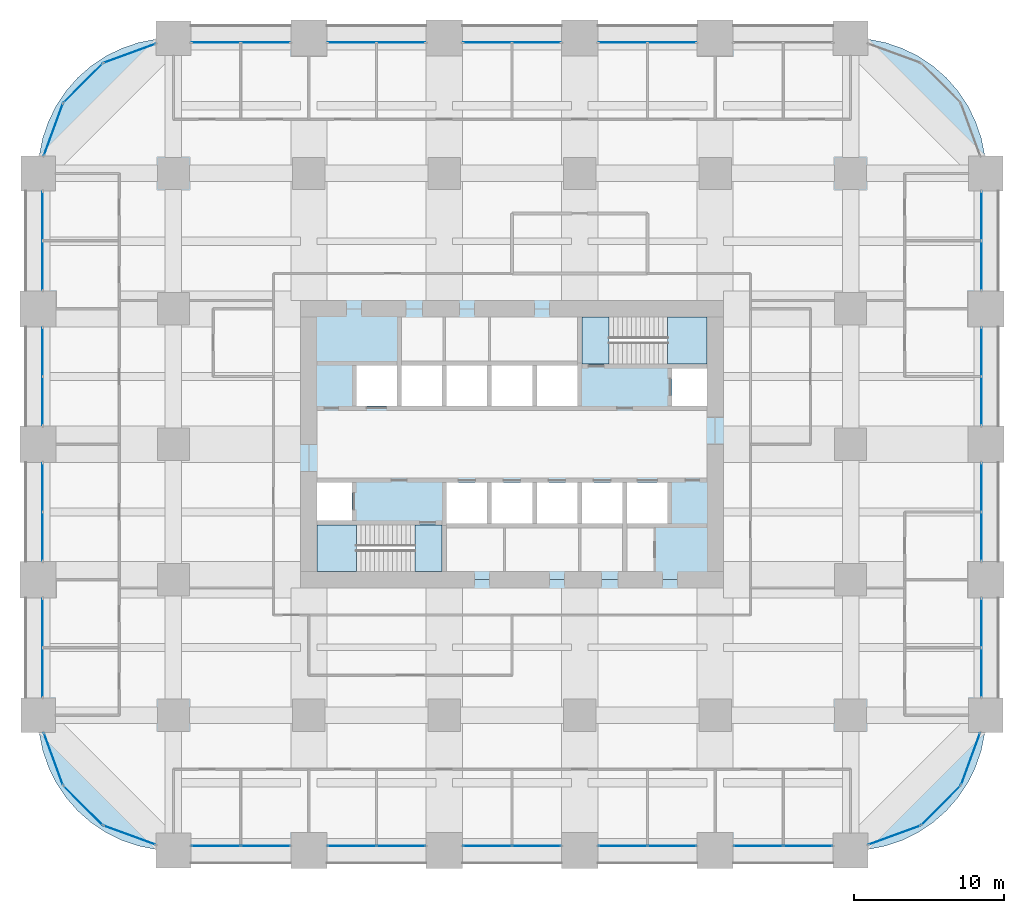
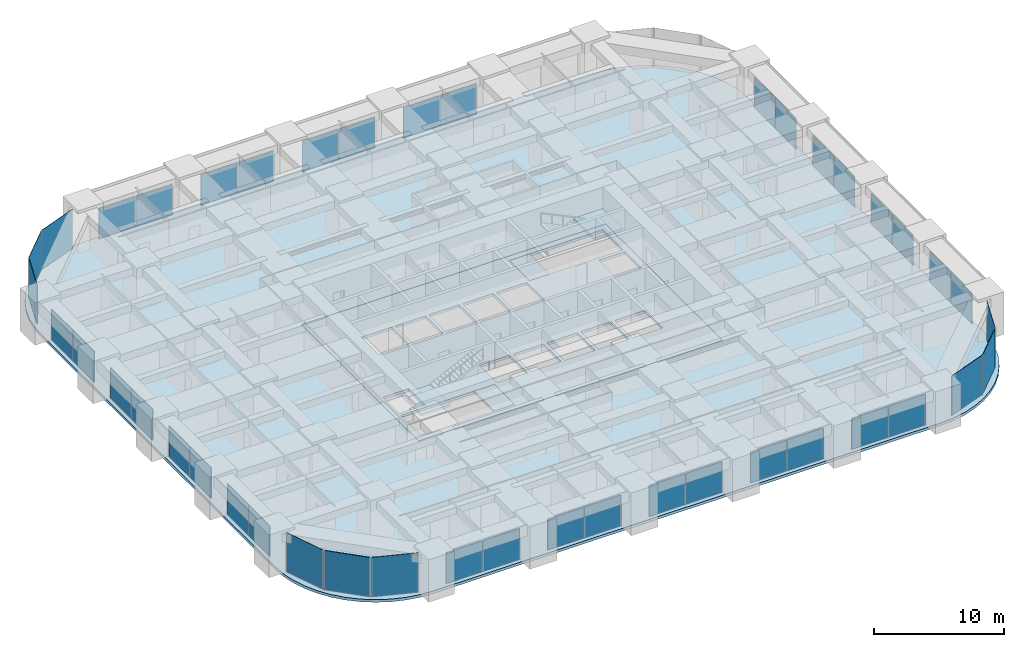
# One storey, part 38 of 45: 43 plates, 6 slabs, 28 elements without a shape of their own.
"""IFC4 building model written with IfcOpenShell, lengths in metres."""

from ifc_helpers import new_model, si_unit, direction, frame, origin, origin_2d, place, context, subcontext, project, spatial, polyline, rectangle, outline, extrude, material, layer, layer_set, type_object, element, aggregate, save


model = new_model("IFC4")

# Units and contexts
model_context = context("Model", 3, precision=1e-05, world=origin(), true_north=direction((0.0, 1.0)))
body_context = subcontext(model_context, "Body", "Model", "MODEL_VIEW")
ifc_project = project(units=[si_unit("LENGTHUNIT", "METRE"), si_unit("AREAUNIT", "SQUARE_METRE"), si_unit("VOLUMEUNIT", "CUBIC_METRE"), si_unit("PLANEANGLEUNIT", "RADIAN"), si_unit("MASSUNIT", "GRAM", prefix="KILO")], contexts=[model_context])

# Site, building, storey
site_placement = place(None, origin())
site = spatial("IfcSite", under=ifc_project, at=site_placement, CompositionType="ELEMENT")
building_placement = place(site_placement, origin())
building = spatial("IfcBuilding", under=site, at=building_placement, Name="Zorevar Civic Tower", CompositionType="ELEMENT")
storey_placement = place(building_placement, frame((0.0, 0.0, 71.800048828125)))
storey = spatial("IfcBuildingStorey", under=building, at=storey_placement, Name="L17", CompositionType="ELEMENT", Elevation=71.800048828125)

# Curtain wall, plates
ifc_material_1 = material(Name="Dark grey solar-control glass in black aluminium frame", Category="aluminium")
curtain_wall_type = type_object("IfcCurtainWallType", Name="Curtain wall CW2 low zone", PredefinedType="NOTDEFINED", material=ifc_material_1)
curtain_wall_1_placement = place(storey_placement, origin())
curtain_wall_1 = element("IfcCurtainWall", 1, at=curtain_wall_1_placement, inside=storey, type_object=curtain_wall_type, Name="CW2 L17", PredefinedType="NOTDEFINED")
ifc_material_2 = material(Name="Dark grey solar-control glass", Category="glass")
ifc_layer_1 = layer(ifc_material_2, 0.031982421875)
ifc_layer_set_1 = layer_set([ifc_layer_1], Name="CW2 panel 32")
plate_type = type_object("IfcPlateType", Name="CW2 panel 32", PredefinedType="CURTAIN_PANEL", material=ifc_layer_set_1)
plate_1_placement = place(storey_placement, frame((11.827392578125, 0.300048828125, 0.06005859375), z_axis=(0.0, 0.0, 1.0), x_axis=(1.0, 0.0, 0.0)))
plate_1 = element("IfcPlate", 2, at=plate_1_placement, type_object=plate_type, Name="CW2 panel 1.1", PredefinedType="CURTAIN_PANEL", context=body_context, shape_type="SweptSolid", body=[
    extrude(rectangle(XDim=3.235107421875, YDim=0.031982421875, at=origin_2d()), origin(), (0.0, 0.0, 1.0), 2.889892578125),
])
plate_2_placement = place(storey_placement, frame((15.12255859375, 0.300048828125, 0.06005859375), z_axis=(0.0, 0.0, 1.0), x_axis=(1.0, 0.0, 0.0)))
plate_2 = element("IfcPlate", 3, at=plate_2_placement, type_object=plate_type, Name="CW2 panel 2.1", PredefinedType="CURTAIN_PANEL", context=body_context, shape_type="SweptSolid", body=[
    extrude(rectangle(XDim=3.235107421875, YDim=0.031982421875, at=origin_2d()), origin(), (0.0, 0.0, 1.0), 2.889892578125),
])
aggregate(curtain_wall_1, [plate_1, plate_2])

curtain_wall_2_placement = place(storey_placement, origin())
curtain_wall_2 = element("IfcCurtainWall", 4, at=curtain_wall_2_placement, inside=storey, type_object=curtain_wall_type, Name="CW2 L17", PredefinedType="NOTDEFINED")
plate_3_placement = place(storey_placement, frame((11.827392578125, 53.699951171875, 0.06005859375), z_axis=(0.0, 0.0, 1.0), x_axis=(1.0, 0.0, 0.0)))
plate_3 = element("IfcPlate", 5, at=plate_3_placement, type_object=plate_type, Name="CW2 panel 1.1", PredefinedType="CURTAIN_PANEL", context=body_context, shape_type="SweptSolid", body=[
    extrude(rectangle(XDim=3.235107421875, YDim=0.031982421875, at=origin_2d()), origin(), (0.0, 0.0, 1.0), 2.889892578125),
])
plate_4_placement = place(storey_placement, frame((15.12255859375, 53.699951171875, 0.06005859375), z_axis=(0.0, 0.0, 1.0), x_axis=(1.0, 0.0, 0.0)))
plate_4 = element("IfcPlate", 6, at=plate_4_placement, type_object=plate_type, Name="CW2 panel 2.1", PredefinedType="CURTAIN_PANEL", context=body_context, shape_type="SweptSolid", body=[
    extrude(rectangle(XDim=3.235107421875, YDim=0.031982421875, at=origin_2d()), origin(), (0.0, 0.0, 1.0), 2.889892578125),
])
aggregate(curtain_wall_2, [plate_3, plate_4])

curtain_wall_3_placement = place(storey_placement, origin())
curtain_wall_3 = element("IfcCurtainWall", 7, at=curtain_wall_3_placement, inside=storey, type_object=curtain_wall_type, Name="CW2 L17", PredefinedType="NOTDEFINED")
plate_5_placement = place(storey_placement, frame((20.864990234375, 0.300048828125, 0.06005859375), z_axis=(0.0, 0.0, 1.0), x_axis=(1.0, 0.0, 0.0)))
plate_5 = element("IfcPlate", 8, at=plate_5_placement, type_object=plate_type, Name="CW2 panel 1.1", PredefinedType="CURTAIN_PANEL", context=body_context, shape_type="SweptSolid", body=[
    extrude(rectangle(XDim=3.2099609375, YDim=0.031982421875, at=origin_2d()), origin(), (0.0, 0.0, 1.0), 2.889892578125),
])
plate_6_placement = place(storey_placement, frame((24.135009765625, 0.300048828125, 0.06005859375), z_axis=(0.0, 0.0, 1.0), x_axis=(1.0, 0.0, 0.0)))
plate_6 = element("IfcPlate", 9, at=plate_6_placement, type_object=plate_type, Name="CW2 panel 2.1", PredefinedType="CURTAIN_PANEL", context=body_context, shape_type="SweptSolid", body=[
    extrude(rectangle(XDim=3.2099609375, YDim=0.031982421875, at=origin_2d()), origin(), (0.0, 0.0, 1.0), 2.889892578125),
])
aggregate(curtain_wall_3, [plate_5, plate_6])

curtain_wall_4_placement = place(storey_placement, origin())
curtain_wall_4 = element("IfcCurtainWall", 10, at=curtain_wall_4_placement, inside=storey, type_object=curtain_wall_type, Name="CW2 L17", PredefinedType="NOTDEFINED")
plate_7_placement = place(storey_placement, frame((20.864990234375, 53.699951171875, 0.06005859375), z_axis=(0.0, 0.0, 1.0), x_axis=(1.0, 0.0, 0.0)))
plate_7 = element("IfcPlate", 11, at=plate_7_placement, type_object=plate_type, Name="CW2 panel 1.1", PredefinedType="CURTAIN_PANEL", context=body_context, shape_type="SweptSolid", body=[
    extrude(rectangle(XDim=3.2099609375, YDim=0.031982421875, at=origin_2d()), origin(), (0.0, 0.0, 1.0), 2.889892578125),
])
plate_8_placement = place(storey_placement, frame((24.135009765625, 53.699951171875, 0.06005859375), z_axis=(0.0, 0.0, 1.0), x_axis=(1.0, 0.0, 0.0)))
plate_8 = element("IfcPlate", 12, at=plate_8_placement, type_object=plate_type, Name="CW2 panel 2.1", PredefinedType="CURTAIN_PANEL", context=body_context, shape_type="SweptSolid", body=[
    extrude(rectangle(XDim=3.2099609375, YDim=0.031982421875, at=origin_2d()), origin(), (0.0, 0.0, 1.0), 2.889892578125),
])
aggregate(curtain_wall_4, [plate_7, plate_8])

curtain_wall_5_placement = place(storey_placement, origin())
curtain_wall_5 = element("IfcCurtainWall", 13, at=curtain_wall_5_placement, inside=storey, type_object=curtain_wall_type, Name="CW2 L17", PredefinedType="NOTDEFINED")
plate_9_placement = place(storey_placement, frame((29.864990234375, 0.300048828125, 0.06005859375), z_axis=(0.0, 0.0, 1.0), x_axis=(1.0, 0.0, 0.0)))
plate_9 = element("IfcPlate", 14, at=plate_9_placement, type_object=plate_type, Name="CW2 panel 1.1", PredefinedType="CURTAIN_PANEL", context=body_context, shape_type="SweptSolid", body=[
    extrude(rectangle(XDim=3.2099609375, YDim=0.031982421875, at=origin_2d()), origin(), (0.0, 0.0, 1.0), 2.889892578125),
])
plate_10_placement = place(storey_placement, frame((33.135009765625, 0.300048828125, 0.06005859375), z_axis=(0.0, 0.0, 1.0), x_axis=(1.0, 0.0, 0.0)))
plate_10 = element("IfcPlate", 15, at=plate_10_placement, type_object=plate_type, Name="CW2 panel 2.1", PredefinedType="CURTAIN_PANEL", context=body_context, shape_type="SweptSolid", body=[
    extrude(rectangle(XDim=3.2099609375, YDim=0.031982421875, at=origin_2d()), origin(), (0.0, 0.0, 1.0), 2.889892578125),
])
aggregate(curtain_wall_5, [plate_9, plate_10])

curtain_wall_6_placement = place(storey_placement, origin())
curtain_wall_6 = element("IfcCurtainWall", 16, at=curtain_wall_6_placement, inside=storey, type_object=curtain_wall_type, Name="CW2 L17", PredefinedType="NOTDEFINED")
plate_11_placement = place(storey_placement, frame((29.864990234375, 53.699951171875, 0.06005859375), z_axis=(0.0, 0.0, 1.0), x_axis=(1.0, 0.0, 0.0)))
plate_11 = element("IfcPlate", 17, at=plate_11_placement, type_object=plate_type, Name="CW2 panel 1.1", PredefinedType="CURTAIN_PANEL", context=body_context, shape_type="SweptSolid", body=[
    extrude(rectangle(XDim=3.2099609375, YDim=0.031982421875, at=origin_2d()), origin(), (0.0, 0.0, 1.0), 2.889892578125),
])
plate_12_placement = place(storey_placement, frame((33.135009765625, 53.699951171875, 0.06005859375), z_axis=(0.0, 0.0, 1.0), x_axis=(1.0, 0.0, 0.0)))
plate_12 = element("IfcPlate", 18, at=plate_12_placement, type_object=plate_type, Name="CW2 panel 2.1", PredefinedType="CURTAIN_PANEL", context=body_context, shape_type="SweptSolid", body=[
    extrude(rectangle(XDim=3.2099609375, YDim=0.031982421875, at=origin_2d()), origin(), (0.0, 0.0, 1.0), 2.889892578125),
])
aggregate(curtain_wall_6, [plate_11, plate_12])

curtain_wall_7_placement = place(storey_placement, origin())
curtain_wall_7 = element("IfcCurtainWall", 19, at=curtain_wall_7_placement, inside=storey, type_object=curtain_wall_type, Name="CW2 L17", PredefinedType="NOTDEFINED")
plate_13_placement = place(storey_placement, frame((38.864990234375, 0.300048828125, 0.06005859375), z_axis=(0.0, 0.0, 1.0), x_axis=(1.0, 0.0, 0.0)))
plate_13 = element("IfcPlate", 20, at=plate_13_placement, type_object=plate_type, Name="CW2 panel 1.1", PredefinedType="CURTAIN_PANEL", context=body_context, shape_type="SweptSolid", body=[
    extrude(rectangle(XDim=3.2099609375, YDim=0.031982421875, at=origin_2d()), origin(), (0.0, 0.0, 1.0), 2.889892578125),
])
plate_14_placement = place(storey_placement, frame((42.135009765625, 0.300048828125, 0.06005859375), z_axis=(0.0, 0.0, 1.0), x_axis=(1.0, 0.0, 0.0)))
plate_14 = element("IfcPlate", 21, at=plate_14_placement, type_object=plate_type, Name="CW2 panel 2.1", PredefinedType="CURTAIN_PANEL", context=body_context, shape_type="SweptSolid", body=[
    extrude(rectangle(XDim=3.2099609375, YDim=0.031982421875, at=origin_2d()), origin(), (0.0, 0.0, 1.0), 2.889892578125),
])
aggregate(curtain_wall_7, [plate_13, plate_14])

curtain_wall_8_placement = place(storey_placement, origin())
curtain_wall_8 = element("IfcCurtainWall", 22, at=curtain_wall_8_placement, inside=storey, type_object=curtain_wall_type, Name="CW2 L17", PredefinedType="NOTDEFINED")
plate_15_placement = place(storey_placement, frame((38.864990234375, 53.699951171875, 0.06005859375), z_axis=(0.0, 0.0, 1.0), x_axis=(1.0, 0.0, 0.0)))
plate_15 = element("IfcPlate", 23, at=plate_15_placement, type_object=plate_type, Name="CW2 panel 1.1", PredefinedType="CURTAIN_PANEL", context=body_context, shape_type="SweptSolid", body=[
    extrude(rectangle(XDim=3.2099609375, YDim=0.031982421875, at=origin_2d()), origin(), (0.0, 0.0, 1.0), 2.889892578125),
])
plate_16_placement = place(storey_placement, frame((42.135009765625, 53.699951171875, 0.06005859375), z_axis=(0.0, 0.0, 1.0), x_axis=(1.0, 0.0, 0.0)))
plate_16 = element("IfcPlate", 24, at=plate_16_placement, type_object=plate_type, Name="CW2 panel 2.1", PredefinedType="CURTAIN_PANEL", context=body_context, shape_type="SweptSolid", body=[
    extrude(rectangle(XDim=3.2099609375, YDim=0.031982421875, at=origin_2d()), origin(), (0.0, 0.0, 1.0), 2.889892578125),
])
aggregate(curtain_wall_8, [plate_15, plate_16])

curtain_wall_9_placement = place(storey_placement, origin())
curtain_wall_9 = element("IfcCurtainWall", 25, at=curtain_wall_9_placement, inside=storey, type_object=curtain_wall_type, Name="CW2 L17", PredefinedType="NOTDEFINED")
plate_17_placement = place(storey_placement, frame((47.87744140625, 0.300048828125, 0.06005859375), z_axis=(0.0, 0.0, 1.0), x_axis=(1.0, 0.0, 0.0)))
plate_17 = element("IfcPlate", 26, at=plate_17_placement, type_object=plate_type, Name="CW2 panel 1.1", PredefinedType="CURTAIN_PANEL", context=body_context, shape_type="SweptSolid", body=[
    extrude(rectangle(XDim=3.235107421875, YDim=0.031982421875, at=origin_2d()), origin(), (0.0, 0.0, 1.0), 2.889892578125),
])
plate_18_placement = place(storey_placement, frame((51.172607421875, 0.300048828125, 0.06005859375), z_axis=(0.0, 0.0, 1.0), x_axis=(1.0, 0.0, 0.0)))
plate_18 = element("IfcPlate", 27, at=plate_18_placement, type_object=plate_type, Name="CW2 panel 2.1", PredefinedType="CURTAIN_PANEL", context=body_context, shape_type="SweptSolid", body=[
    extrude(rectangle(XDim=3.235107421875, YDim=0.031982421875, at=origin_2d()), origin(), (0.0, 0.0, 1.0), 2.889892578125),
])
aggregate(curtain_wall_9, [plate_17, plate_18])

curtain_wall_10_placement = place(storey_placement, origin())
curtain_wall_10 = element("IfcCurtainWall", 28, at=curtain_wall_10_placement, inside=storey, type_object=curtain_wall_type, Name="CW2 L17", PredefinedType="NOTDEFINED")
plate_19_placement = place(storey_placement, frame((0.300048828125, 11.827392578125, 0.06005859375), z_axis=(0.0, 0.0, 1.0), x_axis=(0.0, 1.0, 0.0)))
plate_19 = element("IfcPlate", 29, at=plate_19_placement, type_object=plate_type, Name="CW2 panel 1.1", PredefinedType="CURTAIN_PANEL", context=body_context, shape_type="SweptSolid", body=[
    extrude(rectangle(XDim=3.235107421875, YDim=0.031982421875, at=origin_2d()), origin(), (0.0, 0.0, 1.0), 2.889892578125),
])
plate_20_placement = place(storey_placement, frame((0.300048828125, 15.12255859375, 0.06005859375), z_axis=(0.0, 0.0, 1.0), x_axis=(0.0, 1.0, 0.0)))
plate_20 = element("IfcPlate", 30, at=plate_20_placement, type_object=plate_type, Name="CW2 panel 2.1", PredefinedType="CURTAIN_PANEL", context=body_context, shape_type="SweptSolid", body=[
    extrude(rectangle(XDim=3.235107421875, YDim=0.031982421875, at=origin_2d()), origin(), (0.0, 0.0, 1.0), 2.889892578125),
])
aggregate(curtain_wall_10, [plate_19, plate_20])

curtain_wall_11_placement = place(storey_placement, origin())
curtain_wall_11 = element("IfcCurtainWall", 31, at=curtain_wall_11_placement, inside=storey, type_object=curtain_wall_type, Name="CW2 L17", PredefinedType="NOTDEFINED")
plate_21_placement = place(storey_placement, frame((62.699951171875, 11.827392578125, 0.06005859375), z_axis=(0.0, 0.0, 1.0), x_axis=(0.0, 1.0, 0.0)))
plate_21 = element("IfcPlate", 32, at=plate_21_placement, type_object=plate_type, Name="CW2 panel 1.1", PredefinedType="CURTAIN_PANEL", context=body_context, shape_type="SweptSolid", body=[
    extrude(rectangle(XDim=3.235107421875, YDim=0.031982421875, at=origin_2d()), origin(), (0.0, 0.0, 1.0), 2.889892578125),
])
plate_22_placement = place(storey_placement, frame((62.699951171875, 15.12255859375, 0.06005859375), z_axis=(0.0, 0.0, 1.0), x_axis=(0.0, 1.0, 0.0)))
plate_22 = element("IfcPlate", 33, at=plate_22_placement, type_object=plate_type, Name="CW2 panel 2.1", PredefinedType="CURTAIN_PANEL", context=body_context, shape_type="SweptSolid", body=[
    extrude(rectangle(XDim=3.235107421875, YDim=0.031982421875, at=origin_2d()), origin(), (0.0, 0.0, 1.0), 2.889892578125),
])
aggregate(curtain_wall_11, [plate_21, plate_22])

curtain_wall_12_placement = place(storey_placement, origin())
curtain_wall_12 = element("IfcCurtainWall", 34, at=curtain_wall_12_placement, inside=storey, type_object=curtain_wall_type, Name="CW2 L17", PredefinedType="NOTDEFINED")
plate_23_placement = place(storey_placement, frame((0.300048828125, 20.864990234375, 0.06005859375), z_axis=(0.0, 0.0, 1.0), x_axis=(0.0, 1.0, 0.0)))
plate_23 = element("IfcPlate", 35, at=plate_23_placement, type_object=plate_type, Name="CW2 panel 1.1", PredefinedType="CURTAIN_PANEL", context=body_context, shape_type="SweptSolid", body=[
    extrude(rectangle(XDim=3.2099609375, YDim=0.031982421875, at=origin_2d()), origin(), (0.0, 0.0, 1.0), 2.889892578125),
])
plate_24_placement = place(storey_placement, frame((0.300048828125, 24.135009765625, 0.06005859375), z_axis=(0.0, 0.0, 1.0), x_axis=(0.0, 1.0, 0.0)))
plate_24 = element("IfcPlate", 36, at=plate_24_placement, type_object=plate_type, Name="CW2 panel 2.1", PredefinedType="CURTAIN_PANEL", context=body_context, shape_type="SweptSolid", body=[
    extrude(rectangle(XDim=3.2099609375, YDim=0.031982421875, at=origin_2d()), origin(), (0.0, 0.0, 1.0), 2.889892578125),
])
aggregate(curtain_wall_12, [plate_23, plate_24])

curtain_wall_13_placement = place(storey_placement, origin())
curtain_wall_13 = element("IfcCurtainWall", 37, at=curtain_wall_13_placement, inside=storey, type_object=curtain_wall_type, Name="CW2 L17", PredefinedType="NOTDEFINED")
plate_25_placement = place(storey_placement, frame((62.699951171875, 20.864990234375, 0.06005859375), z_axis=(0.0, 0.0, 1.0), x_axis=(0.0, 1.0, 0.0)))
plate_25 = element("IfcPlate", 38, at=plate_25_placement, type_object=plate_type, Name="CW2 panel 1.1", PredefinedType="CURTAIN_PANEL", context=body_context, shape_type="SweptSolid", body=[
    extrude(rectangle(XDim=3.2099609375, YDim=0.031982421875, at=origin_2d()), origin(), (0.0, 0.0, 1.0), 2.889892578125),
])
plate_26_placement = place(storey_placement, frame((62.699951171875, 24.135009765625, 0.06005859375), z_axis=(0.0, 0.0, 1.0), x_axis=(0.0, 1.0, 0.0)))
plate_26 = element("IfcPlate", 39, at=plate_26_placement, type_object=plate_type, Name="CW2 panel 2.1", PredefinedType="CURTAIN_PANEL", context=body_context, shape_type="SweptSolid", body=[
    extrude(rectangle(XDim=3.2099609375, YDim=0.031982421875, at=origin_2d()), origin(), (0.0, 0.0, 1.0), 2.889892578125),
])
aggregate(curtain_wall_13, [plate_25, plate_26])

curtain_wall_14_placement = place(storey_placement, origin())
curtain_wall_14 = element("IfcCurtainWall", 40, at=curtain_wall_14_placement, inside=storey, type_object=curtain_wall_type, Name="CW2 L17", PredefinedType="NOTDEFINED")
plate_27_placement = place(storey_placement, frame((0.300048828125, 29.864990234375, 0.06005859375), z_axis=(0.0, 0.0, 1.0), x_axis=(0.0, 1.0, 0.0)))
plate_27 = element("IfcPlate", 41, at=plate_27_placement, type_object=plate_type, Name="CW2 panel 1.1", PredefinedType="CURTAIN_PANEL", context=body_context, shape_type="SweptSolid", body=[
    extrude(rectangle(XDim=3.2099609375, YDim=0.031982421875, at=origin_2d()), origin(), (0.0, 0.0, 1.0), 2.889892578125),
])
plate_28_placement = place(storey_placement, frame((0.300048828125, 33.135009765625, 0.06005859375), z_axis=(0.0, 0.0, 1.0), x_axis=(0.0, 1.0, 0.0)))
plate_28 = element("IfcPlate", 42, at=plate_28_placement, type_object=plate_type, Name="CW2 panel 2.1", PredefinedType="CURTAIN_PANEL", context=body_context, shape_type="SweptSolid", body=[
    extrude(rectangle(XDim=3.2099609375, YDim=0.031982421875, at=origin_2d()), origin(), (0.0, 0.0, 1.0), 2.889892578125),
])
aggregate(curtain_wall_14, [plate_27, plate_28])

curtain_wall_15_placement = place(storey_placement, origin())
curtain_wall_15 = element("IfcCurtainWall", 43, at=curtain_wall_15_placement, inside=storey, type_object=curtain_wall_type, Name="CW2 L17", PredefinedType="NOTDEFINED")
plate_29_placement = place(storey_placement, frame((62.699951171875, 29.864990234375, 0.06005859375), z_axis=(0.0, 0.0, 1.0), x_axis=(0.0, 1.0, 0.0)))
plate_29 = element("IfcPlate", 44, at=plate_29_placement, type_object=plate_type, Name="CW2 panel 1.1", PredefinedType="CURTAIN_PANEL", context=body_context, shape_type="SweptSolid", body=[
    extrude(rectangle(XDim=3.2099609375, YDim=0.031982421875, at=origin_2d()), origin(), (0.0, 0.0, 1.0), 2.889892578125),
])
plate_30_placement = place(storey_placement, frame((62.699951171875, 33.135009765625, 0.06005859375), z_axis=(0.0, 0.0, 1.0), x_axis=(0.0, 1.0, 0.0)))
plate_30 = element("IfcPlate", 45, at=plate_30_placement, type_object=plate_type, Name="CW2 panel 2.1", PredefinedType="CURTAIN_PANEL", context=body_context, shape_type="SweptSolid", body=[
    extrude(rectangle(XDim=3.2099609375, YDim=0.031982421875, at=origin_2d()), origin(), (0.0, 0.0, 1.0), 2.889892578125),
])
aggregate(curtain_wall_15, [plate_29, plate_30])

curtain_wall_16_placement = place(storey_placement, origin())
curtain_wall_16 = element("IfcCurtainWall", 46, at=curtain_wall_16_placement, inside=storey, type_object=curtain_wall_type, Name="CW2 L17", PredefinedType="NOTDEFINED")
plate_31_placement = place(storey_placement, frame((0.300048828125, 38.87744140625, 0.06005859375), z_axis=(0.0, 0.0, 1.0), x_axis=(0.0, 1.0, 0.0)))
plate_31 = element("IfcPlate", 47, at=plate_31_placement, type_object=plate_type, Name="CW2 panel 1.1", PredefinedType="CURTAIN_PANEL", context=body_context, shape_type="SweptSolid", body=[
    extrude(rectangle(XDim=3.235107421875, YDim=0.031982421875, at=origin_2d()), origin(), (0.0, 0.0, 1.0), 2.889892578125),
])
plate_32_placement = place(storey_placement, frame((0.300048828125, 42.172607421875, 0.06005859375), z_axis=(0.0, 0.0, 1.0), x_axis=(0.0, 1.0, 0.0)))
plate_32 = element("IfcPlate", 48, at=plate_32_placement, type_object=plate_type, Name="CW2 panel 2.1", PredefinedType="CURTAIN_PANEL", context=body_context, shape_type="SweptSolid", body=[
    extrude(rectangle(XDim=3.235107421875, YDim=0.031982421875, at=origin_2d()), origin(), (0.0, 0.0, 1.0), 2.889892578125),
])
aggregate(curtain_wall_16, [plate_31, plate_32])

curtain_wall_17_placement = place(storey_placement, origin())
curtain_wall_17 = element("IfcCurtainWall", 49, at=curtain_wall_17_placement, inside=storey, type_object=curtain_wall_type, Name="CW2 L17", PredefinedType="NOTDEFINED")
plate_33_placement = place(storey_placement, frame((62.699951171875, 38.87744140625, 0.06005859375), z_axis=(0.0, 0.0, 1.0), x_axis=(0.0, 1.0, 0.0)))
plate_33 = element("IfcPlate", 50, at=plate_33_placement, type_object=plate_type, Name="CW2 panel 1.1", PredefinedType="CURTAIN_PANEL", context=body_context, shape_type="SweptSolid", body=[
    extrude(rectangle(XDim=3.235107421875, YDim=0.031982421875, at=origin_2d()), origin(), (0.0, 0.0, 1.0), 2.889892578125),
])
plate_34_placement = place(storey_placement, frame((62.699951171875, 42.172607421875, 0.06005859375), z_axis=(0.0, 0.0, 1.0), x_axis=(0.0, 1.0, 0.0)))
plate_34 = element("IfcPlate", 51, at=plate_34_placement, type_object=plate_type, Name="CW2 panel 2.1", PredefinedType="CURTAIN_PANEL", context=body_context, shape_type="SweptSolid", body=[
    extrude(rectangle(XDim=3.235107421875, YDim=0.031982421875, at=origin_2d()), origin(), (0.0, 0.0, 1.0), 2.889892578125),
])
aggregate(curtain_wall_17, [plate_33, plate_34])

# Curtain wall, plate
curtain_wall_18_placement = place(storey_placement, origin())
curtain_wall_18 = element("IfcCurtainWall", 52, at=curtain_wall_18_placement, inside=storey, type_object=curtain_wall_type, Name="CW2 L17", PredefinedType="NOTDEFINED")
plate_35_placement = place(storey_placement, frame((56.914306640625, 1.020751953125, 0.06005859375), z_axis=(0.0, 0.0, 1.0), x_axis=(0.939313345732, 0.343060400701, 0.0)))
plate_35 = element("IfcPlate", 53, at=plate_35_placement, type_object=plate_type, Name="CW2 panel 1.1", PredefinedType="CURTAIN_PANEL", context=body_context, shape_type="SweptSolid", body=[
    extrude(rectangle(XDim=3.636474609375, YDim=0.031982421875, at=origin_2d()), origin(), (0.0, 0.0, 1.0), 3.68994140625),
])
aggregate(curtain_wall_18, [plate_35])

curtain_wall_19_placement = place(storey_placement, origin())
curtain_wall_19 = element("IfcCurtainWall", 54, at=curtain_wall_19_placement, inside=storey, type_object=curtain_wall_type, Name="CW2 L17", PredefinedType="NOTDEFINED")
plate_36_placement = place(storey_placement, frame((60.0068359375, 2.9931640625, 0.06005859375), z_axis=(0.0, 0.0, 1.0), x_axis=(0.707106781187, 0.707106781187, 0.0)))
plate_36 = element("IfcPlate", 55, at=plate_36_placement, type_object=plate_type, Name="CW2 panel 1.1", PredefinedType="CURTAIN_PANEL", context=body_context, shape_type="SweptSolid", body=[
    extrude(rectangle(XDim=3.636474609375, YDim=0.031982421875, at=origin_2d()), origin(), (0.0, 0.0, 1.0), 3.68994140625),
])
aggregate(curtain_wall_19, [plate_36])

curtain_wall_20_placement = place(storey_placement, origin())
curtain_wall_20 = element("IfcCurtainWall", 56, at=curtain_wall_20_placement, inside=storey, type_object=curtain_wall_type, Name="CW2 L17", PredefinedType="NOTDEFINED")
plate_37_placement = place(storey_placement, frame((61.979248046875, 6.085693359375, 0.06005859375), z_axis=(0.0, 0.0, 1.0), x_axis=(0.343060400701, 0.939313345732, 0.0)))
plate_37 = element("IfcPlate", 57, at=plate_37_placement, type_object=plate_type, Name="CW2 panel 1.1", PredefinedType="CURTAIN_PANEL", context=body_context, shape_type="SweptSolid", body=[
    extrude(rectangle(XDim=3.636474609375, YDim=0.031982421875, at=origin_2d()), origin(), (0.0, 0.0, 1.0), 3.68994140625),
])
aggregate(curtain_wall_20, [plate_37])

curtain_wall_21_placement = place(storey_placement, origin())
curtain_wall_21 = element("IfcCurtainWall", 58, at=curtain_wall_21_placement, inside=storey, type_object=curtain_wall_type, Name="CW2 L17", PredefinedType="NOTDEFINED")
plate_38_placement = place(storey_placement, frame((6.085693359375, 52.979248046875, 0.06005859375), z_axis=(0.0, 0.0, 1.0), x_axis=(-0.939313345732, -0.343060400701, 0.0)))
plate_38 = element("IfcPlate", 59, at=plate_38_placement, type_object=plate_type, Name="CW2 panel 1.1", PredefinedType="CURTAIN_PANEL", context=body_context, shape_type="SweptSolid", body=[
    extrude(rectangle(XDim=3.636474609375, YDim=0.031982421875, at=origin_2d()), origin(), (0.0, 0.0, 1.0), 3.68994140625),
])
aggregate(curtain_wall_21, [plate_38])

curtain_wall_22_placement = place(storey_placement, origin())
curtain_wall_22 = element("IfcCurtainWall", 60, at=curtain_wall_22_placement, inside=storey, type_object=curtain_wall_type, Name="CW2 L17", PredefinedType="NOTDEFINED")
plate_39_placement = place(storey_placement, frame((2.9931640625, 51.0068359375, 0.06005859375), z_axis=(0.0, 0.0, 1.0), x_axis=(-0.707106781187, -0.707106781187, 0.0)))
plate_39 = element("IfcPlate", 61, at=plate_39_placement, type_object=plate_type, Name="CW2 panel 1.1", PredefinedType="CURTAIN_PANEL", context=body_context, shape_type="SweptSolid", body=[
    extrude(rectangle(XDim=3.636474609375, YDim=0.031982421875, at=origin_2d()), origin(), (0.0, 0.0, 1.0), 3.68994140625),
])
aggregate(curtain_wall_22, [plate_39])

curtain_wall_23_placement = place(storey_placement, origin())
curtain_wall_23 = element("IfcCurtainWall", 62, at=curtain_wall_23_placement, inside=storey, type_object=curtain_wall_type, Name="CW2 L17", PredefinedType="NOTDEFINED")
plate_40_placement = place(storey_placement, frame((1.020751953125, 47.914306640625, 0.06005859375), z_axis=(0.0, 0.0, 1.0), x_axis=(-0.343060400701, -0.939313345732, 0.0)))
plate_40 = element("IfcPlate", 63, at=plate_40_placement, type_object=plate_type, Name="CW2 panel 1.1", PredefinedType="CURTAIN_PANEL", context=body_context, shape_type="SweptSolid", body=[
    extrude(rectangle(XDim=3.636474609375, YDim=0.031982421875, at=origin_2d()), origin(), (0.0, 0.0, 1.0), 3.68994140625),
])
aggregate(curtain_wall_23, [plate_40])

curtain_wall_24_placement = place(storey_placement, origin())
curtain_wall_24 = element("IfcCurtainWall", 64, at=curtain_wall_24_placement, inside=storey, type_object=curtain_wall_type, Name="CW2 L17", PredefinedType="NOTDEFINED")
plate_41_placement = place(storey_placement, frame((1.020751953125, 6.085693359375, 0.06005859375), z_axis=(0.0, 0.0, 1.0), x_axis=(0.343060400701, -0.939313345732, 0.0)))
plate_41 = element("IfcPlate", 65, at=plate_41_placement, type_object=plate_type, Name="CW2 panel 1.1", PredefinedType="CURTAIN_PANEL", context=body_context, shape_type="SweptSolid", body=[
    extrude(rectangle(XDim=3.636474609375, YDim=0.031982421875, at=origin_2d()), origin(), (0.0, 0.0, 1.0), 3.68994140625),
])
aggregate(curtain_wall_24, [plate_41])

curtain_wall_25_placement = place(storey_placement, origin())
curtain_wall_25 = element("IfcCurtainWall", 66, at=curtain_wall_25_placement, inside=storey, type_object=curtain_wall_type, Name="CW2 L17", PredefinedType="NOTDEFINED")
plate_42_placement = place(storey_placement, frame((2.9931640625, 2.9931640625, 0.06005859375), z_axis=(0.0, 0.0, 1.0), x_axis=(0.707106781187, -0.707106781187, 0.0)))
plate_42 = element("IfcPlate", 67, at=plate_42_placement, type_object=plate_type, Name="CW2 panel 1.1", PredefinedType="CURTAIN_PANEL", context=body_context, shape_type="SweptSolid", body=[
    extrude(rectangle(XDim=3.636474609375, YDim=0.031982421875, at=origin_2d()), origin(), (0.0, 0.0, 1.0), 3.68994140625),
])
aggregate(curtain_wall_25, [plate_42])

curtain_wall_26_placement = place(storey_placement, origin())
curtain_wall_26 = element("IfcCurtainWall", 68, at=curtain_wall_26_placement, inside=storey, type_object=curtain_wall_type, Name="CW2 L17", PredefinedType="NOTDEFINED")
plate_43_placement = place(storey_placement, frame((6.085693359375, 1.020751953125, 0.06005859375), z_axis=(0.0, 0.0, 1.0), x_axis=(0.939313345732, -0.343060400701, 0.0)))
plate_43 = element("IfcPlate", 69, at=plate_43_placement, type_object=plate_type, Name="CW2 panel 1.1", PredefinedType="CURTAIN_PANEL", context=body_context, shape_type="SweptSolid", body=[
    extrude(rectangle(XDim=3.636474609375, YDim=0.031982421875, at=origin_2d()), origin(), (0.0, 0.0, 1.0), 3.68994140625),
])
aggregate(curtain_wall_26, [plate_43])

# Slabs
ifc_material_3 = material(Name="Concrete C40/50", Category="concrete")
ifc_layer_2 = layer(ifc_material_3, 0.25)
ifc_layer_set_2 = layer_set([ifc_layer_2], Name="Floor slab 250")
slab_type_1 = type_object("IfcSlabType", Name="Floor slab 250", PredefinedType="FLOOR", material=ifc_layer_set_2)
slab_1_placement = place(storey_placement, frame((0.0, 0.0, -0.25)))
element("IfcSlab", 70, at=slab_1_placement, inside=storey, type_object=slab_type_1, Name="Floor slab L17", PredefinedType="FLOOR", context=body_context, shape_type="SweptSolid", body=[
    extrude(outline(polyline([(54.0, 0.0), (55.1748046875, 0.076904296875), (56.329345703125, 0.306640625), (57.444091796875, 0.68505859375), (58.5, 1.205810546875), (59.478759765625, 1.85986328125), (60.364013671875, 2.635986328125), (61.14013671875, 3.521240234375), (61.794189453125, 4.5), (62.31494140625, 5.555908203125), (62.693359375, 6.670654296875), (62.923095703125, 7.8251953125), (63.0, 9.0), (63.0, 45.0), (62.923095703125, 46.1748046875), (62.693359375, 47.329345703125), (62.31494140625, 48.444091796875), (61.794189453125, 49.5), (61.14013671875, 50.478759765625), (60.364013671875, 51.364013671875), (59.478759765625, 52.14013671875), (58.5, 52.794189453125), (57.444091796875, 53.31494140625), (56.329345703125, 53.693359375), (55.1748046875, 53.923095703125), (54.0, 54.0), (9.0, 54.0), (7.8251953125, 53.923095703125), (6.670654296875, 53.693359375), (5.555908203125, 53.31494140625), (4.5, 52.794189453125), (3.521240234375, 52.14013671875), (2.635986328125, 51.364013671875), (1.85986328125, 50.478759765625), (1.205810546875, 49.5), (0.68505859375, 48.444091796875), (0.306640625, 47.329345703125), (0.076904296875, 46.1748046875), (0.0, 45.0), (0.0, 9.0), (0.076904296875, 7.8251953125), (0.306640625, 6.670654296875), (0.68505859375, 5.555908203125), (1.205810546875, 4.5), (1.85986328125, 3.521240234375), (2.635986328125, 2.635986328125), (3.521240234375, 1.85986328125), (4.5, 1.205810546875), (5.555908203125, 0.68505859375), (6.670654296875, 0.306640625), (7.8251953125, 0.076904296875), (9.0, 0.0), (54.0, 0.0)]), holes=[polyline([(18.0, 18.0), (45.0, 18.0), (45.0, 36.0), (18.0, 36.0), (18.0, 18.0)])]), origin(), (0.0, 0.0, 1.0), 0.25),
])
slab_2_placement = place(storey_placement, frame((0.0, 0.0, -0.25)))
element("IfcSlab", 71, at=slab_2_placement, inside=storey, type_object=slab_type_1, Name="Core floor L17", PredefinedType="FLOOR", context=body_context, shape_type="SweptSolid", body=[
    extrude(outline(polyline([(18.0, 18.0), (45.0, 18.0), (45.0, 36.0), (18.0, 36.0), (18.0, 18.0)]), holes=[polyline([(18.550048828125, 18.550048828125), (26.85009765625, 18.550048828125), (26.85009765625, 21.64990234375), (18.550048828125, 21.64990234375), (18.550048828125, 18.550048828125)]), polyline([(36.14990234375, 32.35009765625), (44.449951171875, 32.35009765625), (44.449951171875, 35.449951171875), (36.14990234375, 35.449951171875), (36.14990234375, 32.35009765625)]), polyline([(18.550048828125, 21.949951171875), (20.85009765625, 21.949951171875), (20.85009765625, 24.449951171875), (18.550048828125, 24.449951171875), (18.550048828125, 21.949951171875)]), polyline([(42.14990234375, 29.550048828125), (44.449951171875, 29.550048828125), (44.449951171875, 32.050048828125), (42.14990234375, 32.050048828125), (42.14990234375, 29.550048828125)]), polyline([(27.14990234375, 21.75), (29.85009765625, 21.75), (29.85009765625, 24.449951171875), (27.14990234375, 24.449951171875), (27.14990234375, 21.75)]), polyline([(33.14990234375, 29.550048828125), (35.85009765625, 29.550048828125), (35.85009765625, 32.25), (33.14990234375, 32.25), (33.14990234375, 29.550048828125)]), polyline([(30.14990234375, 21.75), (32.85009765625, 21.75), (32.85009765625, 24.449951171875), (30.14990234375, 24.449951171875), (30.14990234375, 21.75)]), polyline([(30.14990234375, 29.550048828125), (32.85009765625, 29.550048828125), (32.85009765625, 32.25), (30.14990234375, 32.25), (30.14990234375, 29.550048828125)]), polyline([(33.14990234375, 21.75), (35.85009765625, 21.75), (35.85009765625, 24.449951171875), (33.14990234375, 24.449951171875), (33.14990234375, 21.75)]), polyline([(27.14990234375, 29.550048828125), (29.85009765625, 29.550048828125), (29.85009765625, 32.25), (27.14990234375, 32.25), (27.14990234375, 29.550048828125)]), polyline([(36.14990234375, 21.75), (38.85009765625, 21.75), (38.85009765625, 24.449951171875), (36.14990234375, 24.449951171875), (36.14990234375, 21.75)]), polyline([(24.14990234375, 29.550048828125), (26.85009765625, 29.550048828125), (26.85009765625, 32.25), (24.14990234375, 32.25), (24.14990234375, 29.550048828125)]), polyline([(39.14990234375, 21.75), (41.85009765625, 21.75), (41.85009765625, 24.449951171875), (39.14990234375, 24.449951171875), (39.14990234375, 21.75)]), polyline([(21.14990234375, 29.550048828125), (23.85009765625, 29.550048828125), (23.85009765625, 32.25), (21.14990234375, 32.25), (21.14990234375, 29.550048828125)])]), origin(), (0.0, 0.0, 1.0), 0.25),
])

# Stair, slabs
ifc_material_4 = material(Name="Precast concrete C40/50", Category="concrete")
stair_type = type_object("IfcStairType", Name="Stair ST 28R", PredefinedType="HALF_TURN_STAIR", material=ifc_material_4)
stair_1_placement = place(storey_placement, origin())
stair_1 = element("IfcStair", 72, at=stair_1_placement, inside=storey, type_object=stair_type, Name="Stair ST1 L17", PredefinedType="HALF_TURN_STAIR")
ifc_material_5 = material(Name="Concrete C40/50", Category="concrete")
ifc_layer_3 = layer(ifc_material_5, 0.199951171875)
ifc_layer_set_3 = layer_set([ifc_layer_3], Name="Stair landing 200")
slab_type_2 = type_object("IfcSlabType", Name="Stair landing 200", PredefinedType="LANDING", material=ifc_layer_set_3)
slab_3_placement = place(storey_placement, frame((0.0, 0.0, -0.199951171875)))
slab_3 = element("IfcSlab", 73, at=slab_3_placement, type_object=slab_type_2, Name="ST1 landing 1", PredefinedType="LANDING", context=body_context, shape_type="SweptSolid", body=[
    extrude(outline(polyline([(25.050048828125, 18.550048828125), (26.85009765625, 18.550048828125), (26.85009765625, 21.64990234375), (25.050048828125, 21.64990234375), (25.050048828125, 18.550048828125)])), origin(), (0.0, 0.0, 1.0), 0.199951171875),
])
slab_4_placement = place(storey_placement, frame((0.0, 0.0, 1.800048828125)))
slab_4 = element("IfcSlab", 74, at=slab_4_placement, type_object=slab_type_2, Name="ST1 landing 2", PredefinedType="LANDING", context=body_context, shape_type="SweptSolid", body=[
    extrude(outline(polyline([(18.550048828125, 18.550048828125), (21.14990234375, 18.550048828125), (21.14990234375, 21.64990234375), (18.550048828125, 21.64990234375), (18.550048828125, 18.550048828125)])), origin(), (0.0, 0.0, 1.0), 0.199951171875),
])
aggregate(stair_1, [slab_3, slab_4])

stair_2_placement = place(storey_placement, origin())
stair_2 = element("IfcStair", 75, at=stair_2_placement, inside=storey, type_object=stair_type, Name="Stair ST2 L17", PredefinedType="HALF_TURN_STAIR")
slab_5_placement = place(storey_placement, frame((0.0, 0.0, -0.199951171875)))
slab_5 = element("IfcSlab", 76, at=slab_5_placement, type_object=slab_type_2, Name="ST2 landing 1", PredefinedType="LANDING", context=body_context, shape_type="SweptSolid", body=[
    extrude(outline(polyline([(37.949951171875, 32.35009765625), (36.14990234375, 32.35009765625), (36.14990234375, 35.449951171875), (37.949951171875, 35.449951171875), (37.949951171875, 32.35009765625)])), origin(), (0.0, 0.0, 1.0), 0.199951171875),
])
slab_6_placement = place(storey_placement, frame((0.0, 0.0, 1.800048828125)))
slab_6 = element("IfcSlab", 77, at=slab_6_placement, type_object=slab_type_2, Name="ST2 landing 2", PredefinedType="LANDING", context=body_context, shape_type="SweptSolid", body=[
    extrude(outline(polyline([(44.449951171875, 32.35009765625), (41.85009765625, 32.35009765625), (41.85009765625, 35.449951171875), (44.449951171875, 35.449951171875), (44.449951171875, 32.35009765625)])), origin(), (0.0, 0.0, 1.0), 0.199951171875),
])
aggregate(stair_2, [slab_5, slab_6])

save(model, "model.ifc")
